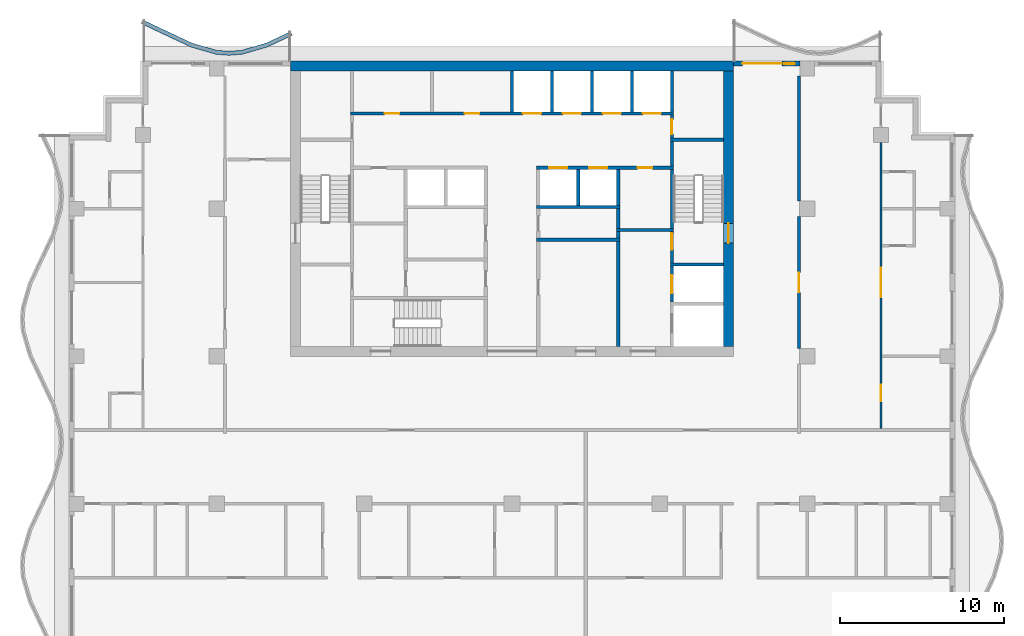
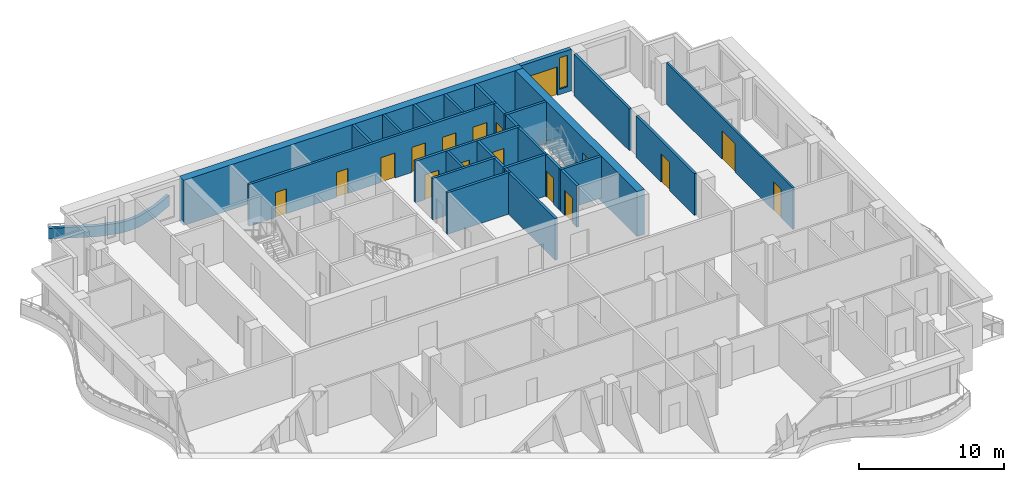
# One storey, part 6 of 11: 29 walls, 17 doors, 1 window, 18 openings.
"""IFC4 building model written with IfcOpenShell, lengths in metres."""

from ifc_helpers import new_model, si_unit, direction, frame, frame_2d, origin, place, context, subcontext, project, spatial, polyline, rectangle, outline, extrude, material, layer, layer_set, type_object, element, fill, save


model = new_model("IFC4")

# Units and contexts
model_context = context("Model", 3, precision=1e-05, world=origin(), true_north=direction((0.0, 1.0)))
body_context = subcontext(model_context, "Body", "Model", "MODEL_VIEW")
ifc_project = project(units=[si_unit("LENGTHUNIT", "METRE"), si_unit("AREAUNIT", "SQUARE_METRE"), si_unit("VOLUMEUNIT", "CUBIC_METRE"), si_unit("PLANEANGLEUNIT", "RADIAN"), si_unit("MASSUNIT", "GRAM", prefix="KILO")], contexts=[model_context])

# Site, building, storey
site_placement = place(None, origin())
site = spatial("IfcSite", under=ifc_project, at=site_placement, CompositionType="ELEMENT")
building_placement = place(site_placement, origin())
building = spatial("IfcBuilding", under=site, at=building_placement, Name="Orbiselva Terraces", CompositionType="ELEMENT")
storey_placement = place(building_placement, frame((0.0, 0.0, 257.8)))
storey = spatial("IfcBuildingStorey", under=building, at=storey_placement, Name="L65", CompositionType="ELEMENT", Elevation=257.8)

# Wall, opening, door
ifc_material_1 = material(Name="Concrete C80/95", Category="concrete")
ifc_layer_1 = layer(ifc_material_1, 0.6)
ifc_layer_set_1 = layer_set([ifc_layer_1], Name="Concrete C80/95")
wall_type_1 = type_object("IfcWallType", Name="CORE WALL 600", PredefinedType="SHEAR", material=ifc_layer_set_1)
wall_1_placement = place(storey_placement, frame((13.2, 5.1, -0.3), z_axis=(0.0, 0.0, 1.0), x_axis=(0.0, 1.0, 0.0)))
wall_1 = element("IfcWall", 1, at=wall_1_placement, inside=storey, type_object=wall_type_1, Name="Core wall L65 east", PredefinedType="SHEAR", context=body_context, shape_type="SweptSolid", body=[
    extrude(rectangle(XDim=16.8, YDim=0.6, at=frame_2d((8.4, 0.0))), origin(), (0.0, 0.0, 1.0), 3.8),
])
opening_1_placement = place(wall_1_placement, frame((6.3, 0.0, 0.3)))
opening_1 = element("IfcOpeningElement", 2, at=opening_1_placement, cuts=wall_1, Name="Opening DS1200", PredefinedType="OPENING", context=body_context, shape_type="SweptSolid", body=[
    extrude(rectangle(XDim=1.2, YDim=2.2, at=frame_2d((0.6, 1.1))), frame((0.0, 0.31, 0.0), z_axis=(0.0, -1.0, 0.0), x_axis=(1.0, 0.0, 0.0)), (0.0, 0.0, 1.0), 0.62),
])
ifc_material_2 = material(Name="Steel fire door", Category="steel")
door_type_1 = type_object("IfcDoorType", Name="STAIR DOOR 1200", OperationType="NOTDEFINED", PredefinedType="DOOR", material=ifc_material_2)
door_1_placement = place(opening_1_placement, frame((1.2, 0.0, 0.0), z_axis=(0.0, 0.0, 1.0), x_axis=(-1.0, 0.0, 0.0)))
door_1 = element("IfcDoor", 3, at=door_1_placement, inside=storey, type_object=door_type_1, Name="L65 EXIT STAIR S2 door", OperationType="SINGLE_SWING_LEFT", OverallHeight=2.2, OverallWidth=1.2, PredefinedType="DOOR", context=body_context, shape_type="SweptSolid", body=[
    extrude(rectangle(XDim=1.2, YDim=2.2, at=frame_2d((0.6, 1.1))), frame((0.0, 0.025, 0.0), z_axis=(0.0, -1.0, 0.0), x_axis=(1.0, 0.0, 0.0)), (0.0, 0.0, 1.0), 0.05),
])
fill(opening_1, door_1)

# Walls
ifc_layer_2 = layer(ifc_material_1, 0.6)
ifc_layer_set_2 = layer_set([ifc_layer_2], Name="Concrete C80/95")
wall_type_2 = type_object("IfcWallType", Name="CORE WALL 600 EXTERNAL", PredefinedType="SHEAR", material=ifc_layer_set_2)
wall_2_placement = place(storey_placement, frame((13.5, 22.2, -0.3), z_axis=(0.0, 0.0, 1.0), x_axis=(-1.0, 0.0, 0.0)))
element("IfcWall", 4, at=wall_2_placement, inside=storey, type_object=wall_type_2, Name="Core wall L65 north", PredefinedType="SHEAR", context=body_context, shape_type="SweptSolid", body=[
    extrude(rectangle(XDim=27.0, YDim=0.6, at=frame_2d((13.5, 0.0))), origin(), (0.0, 0.0, 1.0), 3.8),
])
ifc_material_3 = material(Name="Masonry blockwork", Category="masonry")
ifc_layer_3 = layer(ifc_material_3, 0.2)
ifc_layer_set_3 = layer_set([ifc_layer_3], Name="Masonry blockwork")
wall_type_3 = type_object("IfcWallType", Name="CORE-WALL-PARTITION-200", PredefinedType="PARTITIONING", material=ifc_layer_set_3)
wall_3_placement = place(storey_placement, frame((6.475, 12.3, 0.0), z_axis=(0.0, 0.0, 1.0), x_axis=(0.0, 1.0, 0.0)))
element("IfcWall", 5, at=wall_3_placement, inside=storey, type_object=wall_type_3, Name="L65 core wall 39", PredefinedType="PARTITIONING", context=body_context, shape_type="SweptSolid", body=[
    extrude(rectangle(XDim=1.2, YDim=0.2, at=frame_2d((0.6, 0.0))), origin(), (0.0, 0.0, 1.0), 3.5),
])

# Wall, opening, door
wall_4_placement = place(storey_placement, frame((9.75, 19.2, 0.0), z_axis=(0.0, 0.0, 1.0), x_axis=(0.0, -1.0, 0.0)))
wall_4 = element("IfcWall", 6, at=wall_4_placement, inside=storey, type_object=wall_type_3, Name="L65 core wall 50", PredefinedType="PARTITIONING", context=body_context, shape_type="SweptSolid", body=[
    extrude(rectangle(XDim=1.4, YDim=0.2, at=frame_2d((0.7, 0.0))), origin(), (0.0, 0.0, 1.0), 3.5),
])
opening_2_placement = place(wall_4_placement, frame((0.25, 0.0, 0.0)))
opening_2 = element("IfcOpeningElement", 7, at=opening_2_placement, cuts=wall_4, Name="Opening DR900", PredefinedType="OPENING", context=body_context, shape_type="SweptSolid", body=[
    extrude(rectangle(XDim=0.9, YDim=2.1, at=frame_2d((0.45, 1.05))), frame((0.0, 0.11, 0.0), z_axis=(0.0, -1.0, 0.0), x_axis=(1.0, 0.0, 0.0)), (0.0, 0.0, 1.0), 0.22),
])
door_type_2 = type_object("IfcDoorType", Name="ROOM DOOR 900", OperationType="NOTDEFINED", PredefinedType="DOOR", material=ifc_material_2)
door_2_placement = place(opening_2_placement, origin())
door_2 = element("IfcDoor", 8, at=door_2_placement, inside=storey, type_object=door_type_2, Name="L65 ELECTRICAL RISER ROOM door", OperationType="SINGLE_SWING_RIGHT", OverallHeight=2.1, OverallWidth=0.9, PredefinedType="DOOR", context=body_context, shape_type="SweptSolid", body=[
    extrude(rectangle(XDim=0.9, YDim=2.1, at=frame_2d((0.45, 1.05))), frame((0.0, 0.025, 0.0), z_axis=(0.0, -1.0, 0.0), x_axis=(1.0, 0.0, 0.0)), (0.0, 0.0, 1.0), 0.05),
])
fill(opening_2, door_2)

# Walls
ifc_material_4 = material(Name="Concrete C40/50", Category="concrete")
ifc_layer_4 = layer(ifc_material_4, 0.2)
ifc_layer_set_4 = layer_set([ifc_layer_4], Name="Concrete C40/50")
wall_type_4 = type_object("IfcWallType", Name="CORE-WALL-SHAFT-200", PredefinedType="PARTITIONING", material=ifc_layer_set_4)
for number, where, z_axis, x_axis, name in (
    (9, (0.0, 19.4, 0.0), (0.0, 0.0, 1.0), (0.0, 1.0, 0.0), "L65 core wall 26"),
    (10, (2.4375, 19.4, 0.0), (0.0, 0.0, 1.0), (0.0, 1.0, 0.0), "L65 core wall 33"),
):
    element("IfcWall", number, at=place(storey_placement, frame(where, z_axis=z_axis, x_axis=x_axis)), inside=storey, type_object=wall_type_4, Name=name, PredefinedType="PARTITIONING", context=body_context, shape_type="SweptSolid", body=[
        extrude(rectangle(XDim=2.5, YDim=0.2, at=frame_2d((1.25, 0.0))), origin(), (0.0, 0.0, 1.0), 3.5),
    ])
wall_5_placement = place(storey_placement, frame((4.0375, 13.7, 0.0), z_axis=(0.0, 0.0, 1.0), x_axis=(0.0, 1.0, 0.0)))
element("IfcWall", 11, at=wall_5_placement, inside=storey, type_object=wall_type_4, Name="L65 core wall 34", PredefinedType="PARTITIONING", context=body_context, shape_type="SweptSolid", body=[
    extrude(rectangle(XDim=2.2, YDim=0.2, at=frame_2d((1.1, 0.0))), origin(), (0.0, 0.0, 1.0), 3.5),
])
wall_6_placement = place(storey_placement, frame((4.875, 19.4, 0.0), z_axis=(0.0, 0.0, 1.0), x_axis=(0.0, 1.0, 0.0)))
element("IfcWall", 12, at=wall_6_placement, inside=storey, type_object=wall_type_4, Name="L65 core wall 35", PredefinedType="PARTITIONING", context=body_context, shape_type="SweptSolid", body=[
    extrude(rectangle(XDim=2.5, YDim=0.2, at=frame_2d((1.25, 0.0))), origin(), (0.0, 0.0, 1.0), 3.5),
])
wall_7_placement = place(storey_placement, frame((6.475, 13.7, 0.0), z_axis=(0.0, 0.0, 1.0), x_axis=(0.0, 1.0, 0.0)))
element("IfcWall", 13, at=wall_7_placement, inside=storey, type_object=wall_type_4, Name="L65 core wall 40", PredefinedType="PARTITIONING", context=body_context, shape_type="SweptSolid", body=[
    extrude(rectangle(XDim=2.2, YDim=0.2, at=frame_2d((1.1, 0.0))), origin(), (0.0, 0.0, 1.0), 3.5),
])
for number, where, z_axis, x_axis, name in (
    (14, (7.3125, 19.4, 0.0), (0.0, 0.0, 1.0), (0.0, 1.0, 0.0), "L65 core wall 41"),
    (15, (9.75, 19.4, 0.0), (0.0, 0.0, 1.0), (0.0, 1.0, 0.0), "L65 core wall 51"),
):
    element("IfcWall", number, at=place(storey_placement, frame(where, z_axis=z_axis, x_axis=x_axis)), inside=storey, type_object=wall_type_4, Name=name, PredefinedType="PARTITIONING", context=body_context, shape_type="SweptSolid", body=[
        extrude(rectangle(XDim=2.5, YDim=0.2, at=frame_2d((1.25, 0.0))), origin(), (0.0, 0.0, 1.0), 3.5),
    ])

# Wall, openings, doors
ifc_material_5 = material(Name="Concrete C60/75", Category="concrete")
ifc_layer_5 = layer(ifc_material_5, 0.2)
ifc_layer_set_5 = layer_set([ifc_layer_5], Name="Concrete C60/75")
wall_type_5 = type_object("IfcWallType", Name="CORE-WALL-SHEAR-200", PredefinedType="SHEAR", material=ifc_layer_set_5)
wall_8_placement = place(storey_placement, frame((-9.85, 19.3, 0.0), z_axis=(0.0, 0.0, 1.0), x_axis=(1.0, 0.0, 0.0)))
wall_8 = element("IfcWall", 16, at=wall_8_placement, inside=storey, type_object=wall_type_5, Name="L65 core wall 12", PredefinedType="SHEAR", context=body_context, shape_type="SweptSolid", body=[
    extrude(rectangle(XDim=19.7, YDim=0.2, at=frame_2d((9.85, 0.0))), origin(), (0.0, 0.0, 1.0), 3.5),
])
opening_3_placement = place(wall_8_placement, frame((10.51875, 0.0, 0.0)))
opening_3 = element("IfcOpeningElement", 17, at=opening_3_placement, cuts=wall_8, Name="Opening LD-HR1", PredefinedType="OPENING", context=body_context, shape_type="SweptSolid", body=[
    extrude(rectangle(XDim=1.1, YDim=2.1, at=frame_2d((0.55, 1.05))), frame((0.0, 0.11, 0.0), z_axis=(0.0, -1.0, 0.0), x_axis=(1.0, 0.0, 0.0)), (0.0, 0.0, 1.0), 0.22),
])
opening_4_placement = place(wall_8_placement, frame((12.95625, 0.0, 0.0)))
opening_4 = element("IfcOpeningElement", 18, at=opening_4_placement, cuts=wall_8, Name="Opening LD-HR2", PredefinedType="OPENING", context=body_context, shape_type="SweptSolid", body=[
    extrude(rectangle(XDim=1.1, YDim=2.1, at=frame_2d((0.55, 1.05))), frame((0.0, 0.11, 0.0), z_axis=(0.0, -1.0, 0.0), x_axis=(1.0, 0.0, 0.0)), (0.0, 0.0, 1.0), 0.22),
])
opening_5_placement = place(wall_8_placement, frame((15.39375, 0.0, 0.0)))
opening_5 = element("IfcOpeningElement", 19, at=opening_5_placement, cuts=wall_8, Name="Opening LD-HR3", PredefinedType="OPENING", context=body_context, shape_type="SweptSolid", body=[
    extrude(rectangle(XDim=1.1, YDim=2.1, at=frame_2d((0.55, 1.05))), frame((0.0, 0.11, 0.0), z_axis=(0.0, -1.0, 0.0), x_axis=(1.0, 0.0, 0.0)), (0.0, 0.0, 1.0), 0.22),
])
opening_6_placement = place(wall_8_placement, frame((17.83125, 0.0, 0.0)))
opening_6 = element("IfcOpeningElement", 20, at=opening_6_placement, cuts=wall_8, Name="Opening LD-HR4", PredefinedType="OPENING", context=body_context, shape_type="SweptSolid", body=[
    extrude(rectangle(XDim=1.1, YDim=2.1, at=frame_2d((0.55, 1.05))), frame((0.0, 0.11, 0.0), z_axis=(0.0, -1.0, 0.0), x_axis=(1.0, 0.0, 0.0)), (0.0, 0.0, 1.0), 0.22),
])
opening_7_placement = place(wall_8_placement, frame((2.0875, 0.0, 0.0)))
opening_7 = element("IfcOpeningElement", 21, at=opening_7_placement, cuts=wall_8, Name="Opening DR900", PredefinedType="OPENING", context=body_context, shape_type="SweptSolid", body=[
    extrude(rectangle(XDim=0.9, YDim=2.1, at=frame_2d((0.45, 1.05))), frame((0.0, 0.11, 0.0), z_axis=(0.0, -1.0, 0.0), x_axis=(1.0, 0.0, 0.0)), (0.0, 0.0, 1.0), 0.22),
])
opening_8_placement = place(wall_8_placement, frame((6.9625, 0.0, 0.0)))
opening_8 = element("IfcOpeningElement", 22, at=opening_8_placement, cuts=wall_8, Name="Opening DR900", PredefinedType="OPENING", context=body_context, shape_type="SweptSolid", body=[
    extrude(rectangle(XDim=0.9, YDim=2.1, at=frame_2d((0.45, 1.05))), frame((0.0, 0.11, 0.0), z_axis=(0.0, -1.0, 0.0), x_axis=(1.0, 0.0, 0.0)), (0.0, 0.0, 1.0), 0.22),
])
ifc_material_6 = material(Name="Stainless steel landing door", Category="steel")
door_type_3 = type_object("IfcDoorType", Name="LANDING DOOR 1100", OperationType="SLIDING_TO_LEFT", PredefinedType="DOOR", material=ifc_material_6)
door_3_placement = place(opening_3_placement, origin())
door_3 = element("IfcDoor", 23, at=door_3_placement, inside=storey, type_object=door_type_3, Name="L65 landing door HR1", OperationType="SLIDING_TO_RIGHT", OverallHeight=2.1, OverallWidth=1.1, PredefinedType="DOOR", context=body_context, shape_type="SweptSolid", body=[
    extrude(rectangle(XDim=1.1, YDim=2.1, at=frame_2d((0.55, 1.05))), frame((0.0, 0.025, 0.0), z_axis=(0.0, -1.0, 0.0), x_axis=(1.0, 0.0, 0.0)), (0.0, 0.0, 1.0), 0.05),
])
fill(opening_3, door_3)
door_4_placement = place(opening_4_placement, origin())
door_4 = element("IfcDoor", 24, at=door_4_placement, inside=storey, type_object=door_type_3, Name="L65 landing door HR2", OperationType="SLIDING_TO_RIGHT", OverallHeight=2.1, OverallWidth=1.1, PredefinedType="DOOR", context=body_context, shape_type="SweptSolid", body=[
    extrude(rectangle(XDim=1.1, YDim=2.1, at=frame_2d((0.55, 1.05))), frame((0.0, 0.025, 0.0), z_axis=(0.0, -1.0, 0.0), x_axis=(1.0, 0.0, 0.0)), (0.0, 0.0, 1.0), 0.05),
])
fill(opening_4, door_4)
door_5_placement = place(opening_5_placement, origin())
door_5 = element("IfcDoor", 25, at=door_5_placement, inside=storey, type_object=door_type_3, Name="L65 landing door HR3", OperationType="SLIDING_TO_RIGHT", OverallHeight=2.1, OverallWidth=1.1, PredefinedType="DOOR", context=body_context, shape_type="SweptSolid", body=[
    extrude(rectangle(XDim=1.1, YDim=2.1, at=frame_2d((0.55, 1.05))), frame((0.0, 0.025, 0.0), z_axis=(0.0, -1.0, 0.0), x_axis=(1.0, 0.0, 0.0)), (0.0, 0.0, 1.0), 0.05),
])
fill(opening_5, door_5)
door_6_placement = place(opening_6_placement, origin())
door_6 = element("IfcDoor", 26, at=door_6_placement, inside=storey, type_object=door_type_3, Name="L65 landing door HR4", OperationType="SLIDING_TO_RIGHT", OverallHeight=2.1, OverallWidth=1.1, PredefinedType="DOOR", context=body_context, shape_type="SweptSolid", body=[
    extrude(rectangle(XDim=1.1, YDim=2.1, at=frame_2d((0.55, 1.05))), frame((0.0, 0.025, 0.0), z_axis=(0.0, -1.0, 0.0), x_axis=(1.0, 0.0, 0.0)), (0.0, 0.0, 1.0), 0.05),
])
fill(opening_6, door_6)
door_7_placement = place(opening_7_placement, origin())
door_7 = element("IfcDoor", 27, at=door_7_placement, inside=storey, type_object=door_type_2, Name="L65 PANTRY door", OperationType="SINGLE_SWING_LEFT", OverallHeight=2.1, OverallWidth=0.9, PredefinedType="DOOR", context=body_context, shape_type="SweptSolid", body=[
    extrude(rectangle(XDim=0.9, YDim=2.1, at=frame_2d((0.45, 1.05))), frame((0.0, 0.025, 0.0), z_axis=(0.0, -1.0, 0.0), x_axis=(1.0, 0.0, 0.0)), (0.0, 0.0, 1.0), 0.05),
])
fill(opening_7, door_7)
door_8_placement = place(opening_8_placement, origin())
door_8 = element("IfcDoor", 28, at=door_8_placement, inside=storey, type_object=door_type_2, Name="L65 STAFF LOUNGE door", OperationType="SINGLE_SWING_LEFT", OverallHeight=2.1, OverallWidth=0.9, PredefinedType="DOOR", context=body_context, shape_type="SweptSolid", body=[
    extrude(rectangle(XDim=0.9, YDim=2.1, at=frame_2d((0.45, 1.05))), frame((0.0, 0.025, 0.0), z_axis=(0.0, -1.0, 0.0), x_axis=(1.0, 0.0, 0.0)), (0.0, 0.0, 1.0), 0.05),
])
fill(opening_8, door_8)

# Walls
for number, where, z_axis, x_axis, name in (
    (29, (1.5, 11.6, 0.0), (0.0, 0.0, 1.0), (1.0, 0.0, 0.0), "L65 core wall 28"),
    (30, (1.5, 13.6, 0.0), (0.0, 0.0, 1.0), (1.0, 0.0, 0.0), "L65 core wall 30"),
):
    element("IfcWall", number, at=place(storey_placement, frame(where, z_axis=z_axis, x_axis=x_axis)), inside=storey, type_object=wall_type_5, Name=name, PredefinedType="SHEAR", context=body_context, shape_type="SweptSolid", body=[
        extrude(rectangle(XDim=5.075, YDim=0.2, at=frame_2d((2.5375, 0.0))), origin(), (0.0, 0.0, 1.0), 3.5),
    ])

# Wall, openings, doors
wall_9_placement = place(storey_placement, frame((9.85, 16.0, 0.0), z_axis=(0.0, 0.0, 1.0), x_axis=(-1.0, 0.0, 0.0)))
wall_9 = element("IfcWall", 31, at=wall_9_placement, inside=storey, type_object=wall_type_5, Name="L65 core wall 32", PredefinedType="SHEAR", context=body_context, shape_type="SweptSolid", body=[
    extrude(rectangle(XDim=8.35, YDim=0.2, at=frame_2d((4.175, 0.0))), origin(), (0.0, 0.0, 1.0), 3.5),
])
opening_9_placement = place(wall_9_placement, frame((6.48125, 0.0, 0.0)))
opening_9 = element("IfcOpeningElement", 32, at=opening_9_placement, cuts=wall_9, Name="Opening LD-HR5", PredefinedType="OPENING", context=body_context, shape_type="SweptSolid", body=[
    extrude(rectangle(XDim=1.1, YDim=2.1, at=frame_2d((0.55, 1.05))), frame((0.0, 0.11, 0.0), z_axis=(0.0, -1.0, 0.0), x_axis=(1.0, 0.0, 0.0)), (0.0, 0.0, 1.0), 0.22),
])
opening_10_placement = place(wall_9_placement, frame((4.04375, 0.0, 0.0)))
opening_10 = element("IfcOpeningElement", 33, at=opening_10_placement, cuts=wall_9, Name="Opening LD-HR6", PredefinedType="OPENING", context=body_context, shape_type="SweptSolid", body=[
    extrude(rectangle(XDim=1.1, YDim=2.1, at=frame_2d((0.55, 1.05))), frame((0.0, 0.11, 0.0), z_axis=(0.0, -1.0, 0.0), x_axis=(1.0, 0.0, 0.0)), (0.0, 0.0, 1.0), 0.22),
])
opening_11_placement = place(wall_9_placement, frame((1.2875, 0.0, 0.0)))
opening_11 = element("IfcOpeningElement", 34, at=opening_11_placement, cuts=wall_9, Name="Opening DR900", PredefinedType="OPENING", context=body_context, shape_type="SweptSolid", body=[
    extrude(rectangle(XDim=0.9, YDim=2.1, at=frame_2d((0.45, 1.05))), frame((0.0, 0.11, 0.0), z_axis=(0.0, -1.0, 0.0), x_axis=(1.0, 0.0, 0.0)), (0.0, 0.0, 1.0), 0.22),
])
door_9_placement = place(opening_9_placement, origin())
door_9 = element("IfcDoor", 35, at=door_9_placement, inside=storey, type_object=door_type_3, Name="L65 landing door HR5", OperationType="SLIDING_TO_RIGHT", OverallHeight=2.1, OverallWidth=1.1, PredefinedType="DOOR", context=body_context, shape_type="SweptSolid", body=[
    extrude(rectangle(XDim=1.1, YDim=2.1, at=frame_2d((0.55, 1.05))), frame((0.0, 0.025, 0.0), z_axis=(0.0, -1.0, 0.0), x_axis=(1.0, 0.0, 0.0)), (0.0, 0.0, 1.0), 0.05),
])
fill(opening_9, door_9)
door_10_placement = place(opening_10_placement, origin())
door_10 = element("IfcDoor", 36, at=door_10_placement, inside=storey, type_object=door_type_3, Name="L65 landing door HR6", OperationType="SLIDING_TO_RIGHT", OverallHeight=2.1, OverallWidth=1.1, PredefinedType="DOOR", context=body_context, shape_type="SweptSolid", body=[
    extrude(rectangle(XDim=1.1, YDim=2.1, at=frame_2d((0.55, 1.05))), frame((0.0, 0.025, 0.0), z_axis=(0.0, -1.0, 0.0), x_axis=(1.0, 0.0, 0.0)), (0.0, 0.0, 1.0), 0.05),
])
fill(opening_10, door_10)
door_11_placement = place(opening_11_placement, origin())
door_11 = element("IfcDoor", 37, at=door_11_placement, inside=storey, type_object=door_type_2, Name="L65 PIPE RISER ROOM door", OperationType="SINGLE_SWING_LEFT", OverallHeight=2.1, OverallWidth=0.9, PredefinedType="DOOR", context=body_context, shape_type="SweptSolid", body=[
    extrude(rectangle(XDim=0.9, YDim=2.1, at=frame_2d((0.45, 1.05))), frame((0.0, 0.025, 0.0), z_axis=(0.0, -1.0, 0.0), x_axis=(1.0, 0.0, 0.0)), (0.0, 0.0, 1.0), 0.05),
])
fill(opening_11, door_11)

# Walls
wall_10_placement = place(storey_placement, frame((6.475, 5.1, 0.0), z_axis=(0.0, 0.0, 1.0), x_axis=(0.0, 1.0, 0.0)))
element("IfcWall", 38, at=wall_10_placement, inside=storey, type_object=wall_type_5, Name="L65 core wall 36", PredefinedType="SHEAR", context=body_context, shape_type="SweptSolid", body=[
    extrude(rectangle(XDim=6.4, YDim=0.2, at=frame_2d((3.2, 0.0))), origin(), (0.0, 0.0, 1.0), 3.5),
])
wall_11_placement = place(storey_placement, frame((6.475, 11.7, 0.0), z_axis=(0.0, 0.0, 1.0), x_axis=(0.0, 1.0, 0.0)))
element("IfcWall", 39, at=wall_11_placement, inside=storey, type_object=wall_type_5, Name="L65 core wall 37", PredefinedType="SHEAR", context=body_context, shape_type="SweptSolid", body=[
    extrude(rectangle(XDim=0.4, YDim=0.2, at=frame_2d((0.2, 0.0))), origin(), (0.0, 0.0, 1.0), 3.5),
])
wall_12_placement = place(storey_placement, frame((6.375, 12.2, 0.0), z_axis=(0.0, 0.0, 1.0), x_axis=(1.0, 0.0, 0.0)))
element("IfcWall", 40, at=wall_12_placement, inside=storey, type_object=wall_type_5, Name="L65 core wall 38", PredefinedType="SHEAR", context=body_context, shape_type="SweptSolid", body=[
    extrude(rectangle(XDim=3.475, YDim=0.2, at=frame_2d((1.7375, 0.0))), origin(), (0.0, 0.0, 1.0), 3.5),
])

# Wall, opening, door
wall_13_placement = place(storey_placement, frame((9.75, 7.8, 0.0), z_axis=(0.0, 0.0, 1.0), x_axis=(0.0, 1.0, 0.0)))
wall_13 = element("IfcWall", 41, at=wall_13_placement, inside=storey, type_object=wall_type_5, Name="L65 core wall 44", PredefinedType="SHEAR", context=body_context, shape_type="SweptSolid", body=[
    extrude(rectangle(XDim=2.2, YDim=0.2, at=frame_2d((1.1, 0.0))), origin(), (0.0, 0.0, 1.0), 3.5),
])
opening_12_placement = place(wall_13_placement, frame((0.55, 0.0, 0.0)))
opening_12 = element("IfcOpeningElement", 42, at=opening_12_placement, cuts=wall_13, Name="Opening LD-FF2", PredefinedType="OPENING", context=body_context, shape_type="SweptSolid", body=[
    extrude(rectangle(XDim=1.1, YDim=2.1, at=frame_2d((0.55, 1.05))), frame((0.0, 0.11, 0.0), z_axis=(0.0, -1.0, 0.0), x_axis=(1.0, 0.0, 0.0)), (0.0, 0.0, 1.0), 0.22),
])
door_12_placement = place(opening_12_placement, origin())
door_12 = element("IfcDoor", 43, at=door_12_placement, inside=storey, type_object=door_type_3, Name="L65 landing door FF2", OperationType="SLIDING_TO_RIGHT", OverallHeight=2.1, OverallWidth=1.1, PredefinedType="DOOR", context=body_context, shape_type="SweptSolid", body=[
    extrude(rectangle(XDim=1.1, YDim=2.1, at=frame_2d((0.55, 1.05))), frame((0.0, 0.025, 0.0), z_axis=(0.0, -1.0, 0.0), x_axis=(1.0, 0.0, 0.0)), (0.0, 0.0, 1.0), 0.05),
])
fill(opening_12, door_12)

# Wall
wall_14_placement = place(storey_placement, frame((9.65, 10.1, 0.0), z_axis=(0.0, 0.0, 1.0), x_axis=(1.0, 0.0, 0.0)))
element("IfcWall", 44, at=wall_14_placement, inside=storey, type_object=wall_type_5, Name="L65 core wall 45", PredefinedType="SHEAR", context=body_context, shape_type="SweptSolid", body=[
    extrude(rectangle(XDim=3.25, YDim=0.2, at=frame_2d((1.625, 0.0))), origin(), (0.0, 0.0, 1.0), 3.5),
])

# Wall, opening, door
wall_15_placement = place(storey_placement, frame((9.75, 12.1, 0.0), z_axis=(0.0, 0.0, 1.0), x_axis=(0.0, -1.0, 0.0)))
wall_15 = element("IfcWall", 45, at=wall_15_placement, inside=storey, type_object=wall_type_5, Name="L65 core wall 46", PredefinedType="SHEAR", context=body_context, shape_type="SweptSolid", body=[
    extrude(rectangle(XDim=1.9, YDim=0.2, at=frame_2d((0.95, 0.0))), origin(), (0.0, 0.0, 1.0), 3.5),
])
opening_13_placement = place(wall_15_placement, frame((0.1, 0.0, 0.0)))
opening_13 = element("IfcOpeningElement", 46, at=opening_13_placement, cuts=wall_15, Name="Opening DS1000", PredefinedType="OPENING", context=body_context, shape_type="SweptSolid", body=[
    extrude(rectangle(XDim=1.0, YDim=2.2, at=frame_2d((0.5, 1.1))), frame((0.0, 0.11, 0.0), z_axis=(0.0, -1.0, 0.0), x_axis=(1.0, 0.0, 0.0)), (0.0, 0.0, 1.0), 0.22),
])
door_type_4 = type_object("IfcDoorType", Name="STAIR DOOR 1000", OperationType="NOTDEFINED", PredefinedType="DOOR", material=ifc_material_2)
door_13_placement = place(opening_13_placement, origin())
door_13 = element("IfcDoor", 47, at=door_13_placement, inside=storey, type_object=door_type_4, Name="L65 FIRE-FIGHTING LOBBY TO EXIT STAIR S2 door", OperationType="SINGLE_SWING_LEFT", OverallHeight=2.2, OverallWidth=1.0, PredefinedType="DOOR", context=body_context, shape_type="SweptSolid", body=[
    extrude(rectangle(XDim=1.0, YDim=2.2, at=frame_2d((0.5, 1.1))), frame((0.0, 0.025, 0.0), z_axis=(0.0, -1.0, 0.0), x_axis=(1.0, 0.0, 0.0)), (0.0, 0.0, 1.0), 0.05),
])
fill(opening_13, door_13)

# Walls
wall_16_placement = place(storey_placement, frame((9.75, 12.3, 0.0), z_axis=(0.0, 0.0, 1.0), x_axis=(0.0, 1.0, 0.0)))
element("IfcWall", 48, at=wall_16_placement, inside=storey, type_object=wall_type_5, Name="L65 core wall 47", PredefinedType="SHEAR", context=body_context, shape_type="SweptSolid", body=[
    extrude(rectangle(XDim=3.6, YDim=0.2, at=frame_2d((1.8, 0.0))), origin(), (0.0, 0.0, 1.0), 3.5),
])
wall_17_placement = place(storey_placement, frame((9.75, 16.1, 0.0), z_axis=(0.0, 0.0, 1.0), x_axis=(0.0, 1.0, 0.0)))
element("IfcWall", 49, at=wall_17_placement, inside=storey, type_object=wall_type_5, Name="L65 core wall 48", PredefinedType="SHEAR", context=body_context, shape_type="SweptSolid", body=[
    extrude(rectangle(XDim=1.5, YDim=0.2, at=frame_2d((0.75, 0.0))), origin(), (0.0, 0.0, 1.0), 3.5),
])
wall_18_placement = place(storey_placement, frame((9.65, 17.7, 0.0), z_axis=(0.0, 0.0, 1.0), x_axis=(1.0, 0.0, 0.0)))
element("IfcWall", 50, at=wall_18_placement, inside=storey, type_object=wall_type_5, Name="L65 core wall 49", PredefinedType="SHEAR", context=body_context, shape_type="SweptSolid", body=[
    extrude(rectangle(XDim=3.25, YDim=0.2, at=frame_2d((1.625, 0.0))), origin(), (0.0, 0.0, 1.0), 3.5),
])
ifc_layer_6 = layer(ifc_material_4, 0.25)
ifc_layer_set_6 = layer_set([ifc_layer_6], Name="Concrete C40/50")
wall_type_6 = type_object("IfcWallType", Name="ENV-PLANTER-250x900", PredefinedType="USERDEFINED", material=ifc_layer_set_6)
wall_19_placement = place(storey_placement, origin())
element("IfcWall", 51, at=wall_19_placement, inside=storey, type_object=wall_type_6, Name="Balcony planter L65 NW", ObjectType="PLANTER", PredefinedType="USERDEFINED", context=body_context, shape_type="SweptSolid", body=[
    extrude(outline(polyline([(-13.5, 24.3), (-15.0, 23.594658), (-16.5, 23.158732), (-17.25, 23.1), (-18.0, 23.158732), (-19.5, 23.594658), (-21.0, 24.3), (-22.5, 25.005342), (-22.606383, 24.779106), (-21.106383, 24.073764), (-19.588618, 23.360069), (-18.045114, 22.911499), (-17.25, 22.849235), (-16.454886, 22.911499), (-14.911382, 23.360069), (-13.393617, 24.073764), (-13.5, 24.3)])), origin(), (0.0, 0.0, 1.0), 0.9),
])

# Wall, openings, door, window
ifc_material_7 = material(Name="Terracotta cladding on masonry backing", Category="masonry")
ifc_layer_7 = layer(ifc_material_7, 0.3)
ifc_layer_set_7 = layer_set([ifc_layer_7], Name="Terracotta cladding on masonry backing")
wall_type_7 = type_object("IfcWallType", Name="ENV-WALL-TERRACOTTA-300", PredefinedType="SOLIDWALL", material=ifc_layer_set_7)
wall_20_placement = place(storey_placement, frame((13.5, 22.35, 0.0), z_axis=(0.0, 0.0, 1.0), x_axis=(1.0, 0.0, 0.0)))
wall_20 = element("IfcWall", 52, at=wall_20_placement, inside=storey, type_object=wall_type_7, Name="Facade wall L65 NE", PredefinedType="SOLIDWALL", context=body_context, shape_type="SweptSolid", body=[
    extrude(rectangle(XDim=4.05, YDim=0.3, at=frame_2d((2.025, 0.0))), origin(), (0.0, 0.0, 1.0), 3.5),
])
opening_14_placement = place(wall_20_placement, frame((3.1, 0.0, 0.45)))
opening_14 = element("IfcOpeningElement", 53, at=opening_14_placement, cuts=wall_20, Name="Opening WN2", PredefinedType="OPENING", context=body_context, shape_type="SweptSolid", body=[
    extrude(rectangle(XDim=0.65, YDim=2.65, at=frame_2d((0.325, 1.325))), frame((0.0, 0.16, 0.0), z_axis=(0.0, -1.0, 0.0), x_axis=(1.0, 0.0, 0.0)), (0.0, 0.0, 1.0), 0.32),
])
opening_15_placement = place(wall_20_placement, frame((0.55, 0.0, 0.0)))
opening_15 = element("IfcOpeningElement", 54, at=opening_15_placement, cuts=wall_20, Name="Opening Z5-B-E20", PredefinedType="OPENING", context=body_context, shape_type="SweptSolid", body=[
    extrude(rectangle(XDim=2.4, YDim=2.4, at=frame_2d((1.2, 1.2))), frame((0.0, 0.16, 0.0), z_axis=(0.0, -1.0, 0.0), x_axis=(1.0, 0.0, 0.0)), (0.0, 0.0, 1.0), 0.32),
])
ifc_material_8 = material(Name="Clear low-e glazing in aluminium frame", Category="aluminium")
door_type_5 = type_object("IfcDoorType", Name="BALCONY DOOR 2400 X 2400", OperationType="DOUBLE_DOOR_SLIDING", PredefinedType="DOOR", material=ifc_material_8)
door_14_placement = place(opening_15_placement, origin())
door_14 = element("IfcDoor", 55, at=door_14_placement, inside=storey, type_object=door_type_5, Name="Z5-B-E20", OperationType="SINGLE_SWING_LEFT", OverallHeight=2.4, OverallWidth=2.4, PredefinedType="DOOR", context=body_context, shape_type="SweptSolid", body=[
    extrude(rectangle(XDim=2.4, YDim=2.4, at=frame_2d((1.2, 1.2))), frame((0.0, 0.025, 0.0), z_axis=(0.0, -1.0, 0.0), x_axis=(1.0, 0.0, 0.0)), (0.0, 0.0, 1.0), 0.05),
])
fill(opening_15, door_14)
window_type = type_object("IfcWindowType", Name="WINDOW 650 X 2650 S450", PartitioningType="TRIPLE_PANEL_VERTICAL", PredefinedType="WINDOW", material=ifc_material_8)
window_placement = place(opening_14_placement, origin())
window = element("IfcWindow", 56, at=window_placement, inside=storey, type_object=window_type, Name="Window L65 NE", OverallHeight=2.65, OverallWidth=0.65, PartitioningType="SINGLE_PANEL", PredefinedType="WINDOW", context=body_context, shape_type="SweptSolid", body=[
    extrude(rectangle(XDim=0.65, YDim=2.65, at=frame_2d((0.325, 1.325))), frame((0.0, 0.03, 0.0), z_axis=(0.0, -1.0, 0.0), x_axis=(1.0, 0.0, 0.0)), (0.0, 0.0, 1.0), 0.06),
])
fill(opening_14, window)

# Wall, opening, door
ifc_material_9 = material(Name="Plasterboard on steel stud partition", Category="steel")
ifc_layer_8 = layer(ifc_material_9, 0.2)
ifc_layer_set_8 = layer_set([ifc_layer_8], Name="Plasterboard on steel stud partition")
wall_type_8 = type_object("IfcWallType", Name="UNIT-ENTRANCE-WALL-200", PredefinedType="PARTITIONING", material=ifc_layer_set_8)
wall_21_placement = place(storey_placement, frame((17.5, 13.025, 0.0), z_axis=(0.0, 0.0, 1.0), x_axis=(0.0, -1.0, 0.0)))
wall_21 = element("IfcWall", 57, at=wall_21_placement, inside=storey, type_object=wall_type_8, Name="PARTITION L65-072", PredefinedType="PARTITIONING", context=body_context, shape_type="SweptSolid", body=[
    extrude(rectangle(XDim=8.05, YDim=0.2, at=frame_2d((4.025, 0.0))), origin(), (0.0, 0.0, 1.0), 3.5),
])
opening_16_placement = place(wall_21_placement, frame((3.425, 0.0, 0.0)))
opening_16 = element("IfcOpeningElement", 58, at=opening_16_placement, cuts=wall_21, Name="Opening Z5-B-08", PredefinedType="OPENING", context=body_context, shape_type="SweptSolid", body=[
    extrude(rectangle(XDim=1.2, YDim=2.4, at=frame_2d((0.6, 1.2))), frame((0.0, 0.11, 0.0), z_axis=(0.0, -1.0, 0.0), x_axis=(1.0, 0.0, 0.0)), (0.0, 0.0, 1.0), 0.22),
])
ifc_material_10 = material(Name="Painted timber door leaf", Category="wood")
door_type_6 = type_object("IfcDoorType", Name="ENTRANCE DOOR 1200", OperationType="NOTDEFINED", PredefinedType="DOOR", material=ifc_material_10)
door_15_placement = place(opening_16_placement, origin())
door_15 = element("IfcDoor", 59, at=door_15_placement, inside=storey, type_object=door_type_6, Name="Z5-B-08", OperationType="SINGLE_SWING_RIGHT", OverallHeight=2.4, OverallWidth=1.2, PredefinedType="DOOR", context=body_context, shape_type="SweptSolid", body=[
    extrude(rectangle(XDim=1.2, YDim=2.4, at=frame_2d((0.6, 1.2))), frame((0.0, 0.025, 0.0), z_axis=(0.0, -1.0, 0.0), x_axis=(1.0, 0.0, 0.0)), (0.0, 0.0, 1.0), 0.05),
])
fill(opening_16, door_15)

# Wall
wall_22_placement = place(storey_placement, frame((17.5, 13.975, 0.0), z_axis=(0.0, 0.0, 1.0), x_axis=(0.0, 1.0, 0.0)))
element("IfcWall", 60, at=wall_22_placement, inside=storey, type_object=wall_type_8, Name="PARTITION L65-073", PredefinedType="PARTITIONING", context=body_context, shape_type="SweptSolid", body=[
    extrude(rectangle(XDim=7.625, YDim=0.2, at=frame_2d((3.8125, 0.0))), origin(), (0.0, 0.0, 1.0), 3.5),
])

# Wall, openings, doors
ifc_layer_9 = layer(ifc_material_9, 0.15)
ifc_layer_set_9 = layer_set([ifc_layer_9], Name="Plasterboard on steel stud partition")
wall_type_9 = type_object("IfcWallType", Name="UNIT-PARTITION-150", PredefinedType="PARTITIONING", material=ifc_layer_set_9)
wall_23_placement = place(storey_placement, frame((22.5, 17.55, 0.0), z_axis=(0.0, 0.0, 1.0), x_axis=(0.0, -1.0, 0.0)))
wall_23 = element("IfcWall", 61, at=wall_23_placement, inside=storey, type_object=wall_type_9, Name="PARTITION L65-080", PredefinedType="PARTITIONING", context=body_context, shape_type="SweptSolid", body=[
    extrude(rectangle(XDim=17.45, YDim=0.15, at=frame_2d((8.725, 0.0))), origin(), (0.0, 0.0, 1.0), 3.5),
])
opening_17_placement = place(wall_23_placement, frame((14.8, 0.0, 0.0)))
opening_17 = element("IfcOpeningElement", 62, at=opening_17_placement, cuts=wall_23, Name="Opening Z5-B-09", PredefinedType="OPENING", context=body_context, shape_type="SweptSolid", body=[
    extrude(rectangle(XDim=1.0, YDim=2.4, at=frame_2d((0.5, 1.2))), frame((0.0, 0.085, 0.0), z_axis=(0.0, -1.0, 0.0), x_axis=(1.0, 0.0, 0.0)), (0.0, 0.0, 1.0), 0.17),
])
opening_18_placement = place(wall_23_placement, frame((7.65, 0.0, 0.0)))
opening_18 = element("IfcOpeningElement", 63, at=opening_18_placement, cuts=wall_23, Name="Opening Z5-B-10", PredefinedType="OPENING", context=body_context, shape_type="SweptSolid", body=[
    extrude(rectangle(XDim=1.8, YDim=2.4, at=frame_2d((0.9, 1.2))), frame((0.0, 0.085, 0.0), z_axis=(0.0, -1.0, 0.0), x_axis=(1.0, 0.0, 0.0)), (0.0, 0.0, 1.0), 0.17),
])
door_type_7 = type_object("IfcDoorType", Name="DOUBLE DOOR 1800", OperationType="NOTDEFINED", PredefinedType="DOOR", material=ifc_material_10)
door_16_placement = place(opening_18_placement, origin())
door_16 = element("IfcDoor", 64, at=door_16_placement, inside=storey, type_object=door_type_7, Name="Z5-B-10", OperationType="DOUBLE_DOOR_SINGLE_SWING", OverallHeight=2.4, OverallWidth=1.8, PredefinedType="DOOR", context=body_context, shape_type="SweptSolid", body=[
    extrude(rectangle(XDim=1.8, YDim=2.4, at=frame_2d((0.9, 1.2))), frame((0.0, 0.025, 0.0), z_axis=(0.0, -1.0, 0.0), x_axis=(1.0, 0.0, 0.0)), (0.0, 0.0, 1.0), 0.05),
])
fill(opening_18, door_16)
door_type_8 = type_object("IfcDoorType", Name="ROOM DOOR 1000", OperationType="NOTDEFINED", PredefinedType="DOOR", material=ifc_material_10)
door_17_placement = place(opening_17_placement, origin())
door_17 = element("IfcDoor", 65, at=door_17_placement, inside=storey, type_object=door_type_8, Name="Z5-B-09", OperationType="SINGLE_SWING_RIGHT", OverallHeight=2.4, OverallWidth=1.0, PredefinedType="DOOR", context=body_context, shape_type="SweptSolid", body=[
    extrude(rectangle(XDim=1.0, YDim=2.4, at=frame_2d((0.5, 1.2))), frame((0.0, 0.025, 0.0), z_axis=(0.0, -1.0, 0.0), x_axis=(1.0, 0.0, 0.0)), (0.0, 0.0, 1.0), 0.05),
])
fill(opening_17, door_17)

save(model, "model.ifc")
